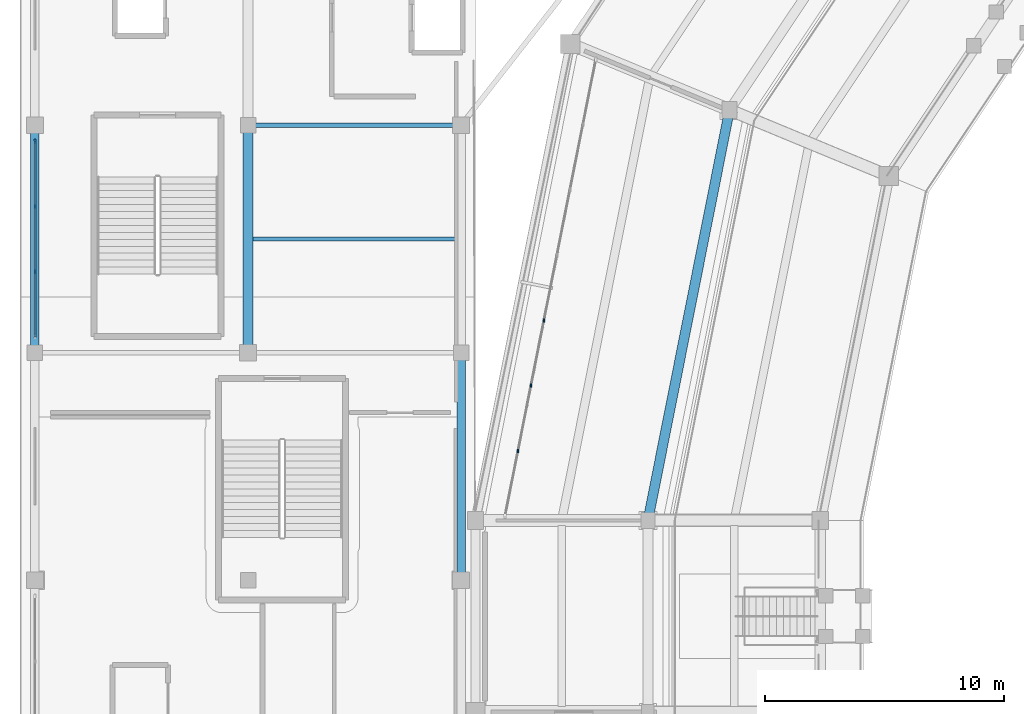
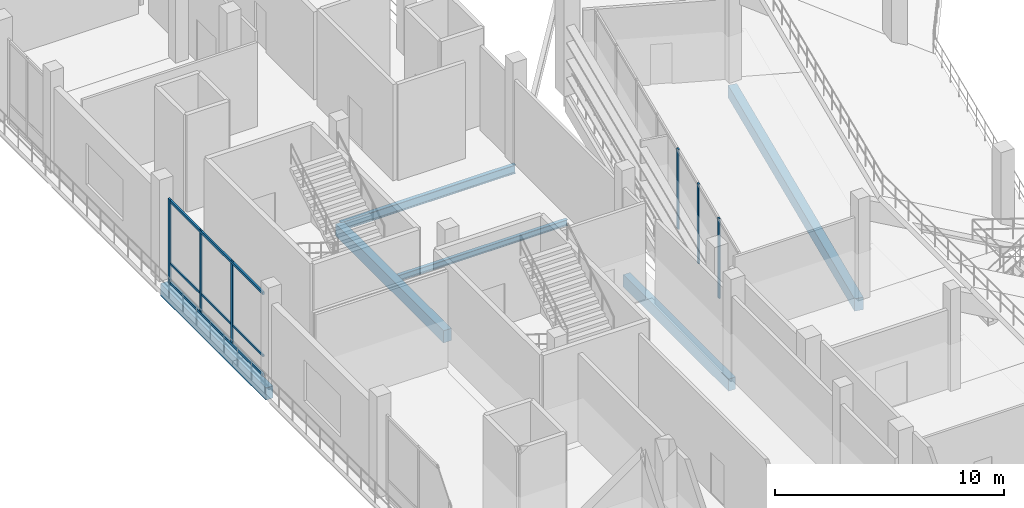
# One storey, part 29 of 127: 9 members, 6 beams, 2 elements without a shape of their own.
"""IFC4 building model written with IfcOpenShell, lengths in metres."""

from ifc_helpers import new_model, si_unit, direction, frame, origin, origin_2d, place, context, subcontext, project, spatial, rectangle, i_section, extrude, material, material_profile, profile_set, type_object, element, aggregate, save


model = new_model("IFC4")

# Units and contexts
model_context = context("Model", 3, precision=1e-05, world=origin(), true_north=direction((0.0, 1.0)))
body_context = subcontext(model_context, "Body", "Model", "MODEL_VIEW")
ifc_project = project(units=[si_unit("LENGTHUNIT", "METRE"), si_unit("AREAUNIT", "SQUARE_METRE"), si_unit("VOLUMEUNIT", "CUBIC_METRE"), si_unit("PLANEANGLEUNIT", "RADIAN"), si_unit("MASSUNIT", "GRAM", prefix="KILO")], contexts=[model_context])

# Site, building, storey
site_placement = place(None, origin())
site = spatial("IfcSite", under=ifc_project, at=site_placement, CompositionType="ELEMENT")
building_placement = place(site_placement, origin())
building = spatial("IfcBuilding", under=site, at=building_placement, Name="Candeia Ridge Stadium", CompositionType="ELEMENT")
storey_placement = place(building_placement, frame((0.0, 0.0, 10.800048828125)))
storey = spatial("IfcBuildingStorey", under=building, at=storey_placement, Name="L02", CompositionType="ELEMENT", Elevation=10.800048828125)

# Curtain wall, member
ifc_material_1 = material(Name="Aluminium Anodized Warm Bronze", Category="aluminium")
curtain_wall_type_1 = type_object("IfcCurtainWallType", Name="Cardinal Entrance Gate Tall Glazed Curtain Wall", PredefinedType="NOTDEFINED", material=ifc_material_1)
curtain_wall_1_placement = place(storey_placement, origin())
curtain_wall_1 = element("IfcCurtainWall", 1, at=curtain_wall_1_placement, inside=storey, type_object=curtain_wall_type_1, Name="Unitised curtain wall CW-WNG-L02-085", PredefinedType="NOTDEFINED")
ifc_material_profile_1 = material_profile(ifc_material_1, rectangle(XDim=0.090087890625, YDim=0.179931640625, at=origin_2d()), Name="CWM-90x180", Category="aluminium")
ifc_profile_set_1 = profile_set([ifc_material_profile_1], Name="Aluminium Anodized Warm Bronze")
member_type_1 = type_object("IfcMemberType", Name="Curtain Wall Primary Mullion 90x180", PredefinedType="MULLION", material=ifc_profile_set_1)
member_1_placement = place(storey_placement, frame((0.60009765625, 110.840087890625, 0.0), z_axis=(0.0, 0.0, 1.0), x_axis=(1.0, 0.0, 0.0)))
member_1 = element("IfcMember", 2, at=member_1_placement, type_object=member_type_1, Name="Curtain wall mullion CW-WNG-L02-085-M3", PredefinedType="MULLION", context=body_context, shape_type="SweptSolid", body=[
    extrude(rectangle(XDim=0.090087890625, YDim=0.179931640625, at=origin_2d()), origin(), (0.0, 0.0, 1.0), 4.48486328125),
])

# Curtain wall, members
curtain_wall_type_2 = type_object("IfcCurtainWallType", Name="Concourse Recessed Unitised Curtain Wall", PredefinedType="NOTDEFINED", material=ifc_material_1)
curtain_wall_2_placement = place(storey_placement, origin())
curtain_wall_2 = element("IfcCurtainWall", 3, at=curtain_wall_2_placement, inside=storey, type_object=curtain_wall_type_2, Name="Unitised curtain wall CW-BWL-L02-10", PredefinedType="NOTDEFINED")
ifc_material_profile_2 = material_profile(ifc_material_1, rectangle(XDim=0.074951171875, YDim=0.14990234375, at=origin_2d()), Name="CWM-75x150", Category="aluminium")
ifc_profile_set_2 = profile_set([ifc_material_profile_2], Name="Aluminium Anodized Warm Bronze")
member_type_2 = type_object("IfcMemberType", Name="Curtain Wall Secondary Mullion 75x150", PredefinedType="MULLION", material=ifc_profile_set_2)
member_2_placement = place(storey_placement, frame((21.8623046875, 103.356689453125, 0.0), z_axis=(0.0, 0.0, 1.0), x_axis=(1.0, 0.0, 0.0)))
member_2 = element("IfcMember", 4, at=member_2_placement, type_object=member_type_2, Name="Curtain wall mullion CW-BWL-L02-10-M4", PredefinedType="MULLION", context=body_context, shape_type="SweptSolid", body=[
    extrude(rectangle(XDim=0.074951171875, YDim=0.14990234375, at=origin_2d()), origin(), (0.0, 0.0, 1.0), 4.2548828125),
])
member_3_placement = place(storey_placement, frame((21.31982421875, 100.6298828125, 0.0), z_axis=(0.0, 0.0, 1.0), x_axis=(1.0, 0.0, 0.0)))
member_3 = element("IfcMember", 5, at=member_3_placement, type_object=member_type_2, Name="Curtain wall mullion CW-BWL-L02-10-M5", PredefinedType="MULLION", context=body_context, shape_type="SweptSolid", body=[
    extrude(rectangle(XDim=0.074951171875, YDim=0.14990234375, at=origin_2d()), origin(), (0.0, 0.0, 1.0), 4.2548828125),
])
member_4_placement = place(storey_placement, frame((20.777587890625, 97.9033203125, 0.0), z_axis=(0.0, 0.0, 1.0), x_axis=(1.0, 0.0, 0.0)))
member_4 = element("IfcMember", 6, at=member_4_placement, type_object=member_type_2, Name="Curtain wall mullion CW-BWL-L02-10-M6", PredefinedType="MULLION", context=body_context, shape_type="SweptSolid", body=[
    extrude(rectangle(XDim=0.074951171875, YDim=0.14990234375, at=origin_2d()), origin(), (0.0, 0.0, 1.0), 4.2548828125),
])
aggregate(curtain_wall_2, [member_2, member_3, member_4])

# Member
member_5_placement = place(storey_placement, frame((0.60009765625, 105.38671875, 0.0), z_axis=(0.0, 0.0, 1.0), x_axis=(1.0, 0.0, 0.0)))
member_5 = element("IfcMember", 7, at=member_5_placement, type_object=member_type_2, Name="Curtain wall mullion CW-WNG-L02-085-M1", PredefinedType="MULLION", context=body_context, shape_type="SweptSolid", body=[
    extrude(rectangle(XDim=0.074951171875, YDim=0.14990234375, at=origin_2d()), origin(), (0.0, 0.0, 1.0), 4.48486328125),
])

member_6_placement = place(storey_placement, frame((0.60009765625, 108.11328125, 0.0), z_axis=(0.0, 0.0, 1.0), x_axis=(1.0, 0.0, 0.0)))
member_6 = element("IfcMember", 8, at=member_6_placement, type_object=member_type_2, Name="Curtain wall mullion CW-WNG-L02-085-M2", PredefinedType="MULLION", context=body_context, shape_type="SweptSolid", body=[
    extrude(rectangle(XDim=0.074951171875, YDim=0.14990234375, at=origin_2d()), origin(), (0.0, 0.0, 1.0), 4.48486328125),
])

ifc_material_profile_3 = material_profile(ifc_material_1, rectangle(XDim=0.074951171875, YDim=0.110107421875, at=origin_2d()), Name="CWT-75x110", Category="aluminium")
ifc_profile_set_3 = profile_set([ifc_material_profile_3], Name="Aluminium Anodized Warm Bronze")
member_type_3 = type_object("IfcMemberType", Name="Curtain Wall Secondary Transom 75x110", PredefinedType="USERDEFINED", material=ifc_profile_set_3)
member_7_placement = place(storey_placement, frame((0.60009765625, 102.659912109375, 1.099853515625), z_axis=(0.0, 1.0, 0.0), x_axis=(-1.0, 0.0, 0.0)))
member_7 = element("IfcMember", 9, at=member_7_placement, type_object=member_type_3, Name="Curtain wall transom CW-WNG-L02-085-T1", ObjectType="TRANSOM", PredefinedType="USERDEFINED", context=body_context, shape_type="SweptSolid", body=[
    extrude(rectangle(XDim=0.074951171875, YDim=0.110107421875, at=origin_2d()), origin(), (0.0, 0.0, 1.0), 8.18017578125),
])

ifc_material_profile_4 = material_profile(ifc_material_1, rectangle(XDim=0.090087890625, YDim=0.139892578125, at=origin_2d()), Name="CWT-90x140", Category="aluminium")
ifc_profile_set_4 = profile_set([ifc_material_profile_4], Name="Aluminium Anodized Warm Bronze")
member_type_4 = type_object("IfcMemberType", Name="Curtain Wall Transom 90x140", PredefinedType="USERDEFINED", material=ifc_profile_set_4)
member_8_placement = place(storey_placement, frame((0.60009765625, 102.659912109375, 0.070068359375), z_axis=(0.0, 1.0, 0.0), x_axis=(-1.0, 0.0, 0.0)))
member_8 = element("IfcMember", 10, at=member_8_placement, type_object=member_type_4, Name="Curtain wall transom CW-WNG-L02-085-T0", ObjectType="TRANSOM", PredefinedType="USERDEFINED", context=body_context, shape_type="SweptSolid", body=[
    extrude(rectangle(XDim=0.090087890625, YDim=0.139892578125, at=origin_2d()), origin(), (0.0, 0.0, 1.0), 8.18017578125),
])

member_9_placement = place(storey_placement, frame((0.60009765625, 102.659912109375, 4.4150390625), z_axis=(0.0, 1.0, 0.0), x_axis=(-1.0, 0.0, 0.0)))
member_9 = element("IfcMember", 11, at=member_9_placement, type_object=member_type_4, Name="Curtain wall transom CW-WNG-L02-085-T2", ObjectType="TRANSOM", PredefinedType="USERDEFINED", context=body_context, shape_type="SweptSolid", body=[
    extrude(rectangle(XDim=0.090087890625, YDim=0.139892578125, at=origin_2d()), origin(), (0.0, 0.0, 1.0), 8.18017578125),
])

aggregate(curtain_wall_1, [member_5, member_6, member_1, member_8, member_7, member_9])

# Beams
ifc_material_2 = material(Name="Concrete C40/50", Category="concrete")
ifc_material_profile_5 = material_profile(ifc_material_2, rectangle(XDim=0.409912109375, YDim=0.659912109375, at=origin_2d()), Name="RC410x660", Category="concrete")
ifc_profile_set_5 = profile_set([ifc_material_profile_5], Name="Concrete C40/50")
beam_type_1 = type_object("IfcBeamType", Name="Frame Girder RC410x660", PredefinedType="BEAM", material=ifc_profile_set_5)
beam_1_placement = place(storey_placement, frame((29.5791015625, 111.9873046875, -0.590087890625), z_axis=(-0.195098234154, -0.980783706548, 0.0), x_axis=(0.980783706548, -0.195098234154, 0.0)))
element("IfcBeam", 12, at=beam_1_placement, inside=storey, type_object=beam_type_1, Name="Concourse spine girder BM-L02-0359", PredefinedType="BEAM", context=body_context, shape_type="SweptSolid", body=[
    extrude(rectangle(XDim=0.409912109375, YDim=0.659912109375, at=origin_2d()), origin(), (0.0, 0.0, 1.0), 17.16015625),
])
ifc_material_3 = material(Name="Steel ASTM A572 Grade 50", Category="steel")
ifc_material_profile_6 = material_profile(ifc_material_3, i_section(OverallWidth=0.1669921875, OverallDepth=0.31689453125, WebThickness=0.007568359375, FlangeThickness=0.01318359375, FilletRadius=0.011962890625, at=origin_2d()), Name="W310x52", Category="steel")
ifc_profile_set_6 = profile_set([ifc_material_profile_6], Name="Steel ASTM A572 Grade 50")
beam_type_2 = type_object("IfcBeamType", Name="Pavilion Secondary Joist W310x52", PredefinedType="JOIST", material=ifc_profile_set_6)
beam_2_placement = place(storey_placement, frame((9.699462890625, 106.75, -0.41845703125), z_axis=(1.0, 0.0, 0.0), x_axis=(0.0, 1.0, 0.0)))
element("IfcBeam", 13, at=beam_2_placement, inside=storey, type_object=beam_type_2, Name="Wing secondary joist BM-L02-1184", PredefinedType="JOIST", context=body_context, shape_type="SweptSolid", body=[
    extrude(i_section(OverallWidth=0.1669921875, OverallDepth=0.31689453125, WebThickness=0.007568359375, FlangeThickness=0.01318359375, FilletRadius=0.011962890625, at=origin_2d()), origin(), (0.0, 0.0, 1.0), 8.526123046875),
])
ifc_material_profile_7 = material_profile(ifc_material_3, i_section(OverallWidth=0.18994140625, OverallDepth=0.45703125, WebThickness=0.009033203125, FlangeThickness=0.014404296875, FilletRadius=0.012939453125, at=origin_2d()), Name="W460x74", Category="steel")
ifc_profile_set_7 = profile_set([ifc_material_profile_7], Name="Steel ASTM A572 Grade 50")
beam_type_3 = type_object("IfcBeamType", Name="Pavilion Steel Girder W460x74", PredefinedType="BEAM", material=ifc_profile_set_7)
beam_3_placement = place(storey_placement, frame((9.550048828125, 111.5, -0.488525390625), z_axis=(1.0, 0.0, 0.0), x_axis=(0.0, 1.0, 0.0)))
element("IfcBeam", 14, at=beam_3_placement, inside=storey, type_object=beam_type_3, Name="Structural girder BM-L02-1185", PredefinedType="BEAM", context=body_context, shape_type="SweptSolid", body=[
    extrude(i_section(OverallWidth=0.18994140625, OverallDepth=0.45703125, WebThickness=0.009033203125, FlangeThickness=0.014404296875, FilletRadius=0.012939453125, at=origin_2d()), origin(), (0.0, 0.0, 1.0), 8.800048828125),
])
ifc_material_profile_8 = material_profile(ifc_material_2, rectangle(XDim=0.35009765625, YDim=0.64990234375, at=origin_2d()), Name="RC350x650", Category="concrete")
ifc_profile_set_8 = profile_set([ifc_material_profile_8], Name="Concrete C40/50")
beam_type_4 = type_object("IfcBeamType", Name="Spandrel Beam RC350x650", PredefinedType="SPANDREL", material=ifc_profile_set_8)
for number, where, z_axis, x_axis, name in (
    (15, (0.60009765625, 102.159912109375, -0.5849609375), (0.0, 1.0, 0.0), (-1.0, 0.0, 0.0), "Structural girder BM-L02-1122"),
    (16, (18.39990234375, 92.659912109375, -0.5849609375), (0.0, 1.0, 0.0), (-1.0, 0.0, 0.0), "Structural girder BM-L02-1146"),
):
    element("IfcBeam", number, at=place(storey_placement, frame(where, z_axis=z_axis, x_axis=x_axis)), inside=storey, type_object=beam_type_4, Name=name, PredefinedType="SPANDREL", context=body_context, shape_type="SweptSolid", body=[
        extrude(rectangle(XDim=0.35009765625, YDim=0.64990234375, at=origin_2d()), origin(), (0.0, 0.0, 1.0), 9.18017578125),
    ])
ifc_material_profile_9 = material_profile(ifc_material_2, rectangle(XDim=0.39990234375, YDim=0.64990234375, at=origin_2d()), Name="RC400x650", Category="concrete")
ifc_profile_set_9 = profile_set([ifc_material_profile_9], Name="Concrete C40/50")
beam_type_5 = type_object("IfcBeamType", Name="Wing Primary Girder RC400x650", PredefinedType="BEAM", material=ifc_profile_set_9)
beam_4_placement = place(storey_placement, frame((9.5, 102.050048828125, -0.5849609375), z_axis=(0.0, 1.0, 0.0), x_axis=(-1.0, 0.0, 0.0)))
element("IfcBeam", 17, at=beam_4_placement, inside=storey, type_object=beam_type_5, Name="Structural girder BM-L02-1134", PredefinedType="BEAM", context=body_context, shape_type="SweptSolid", body=[
    extrude(rectangle(XDim=0.39990234375, YDim=0.64990234375, at=origin_2d()), origin(), (0.0, 0.0, 1.0), 9.39990234375),
])

save(model, "model.ifc")
